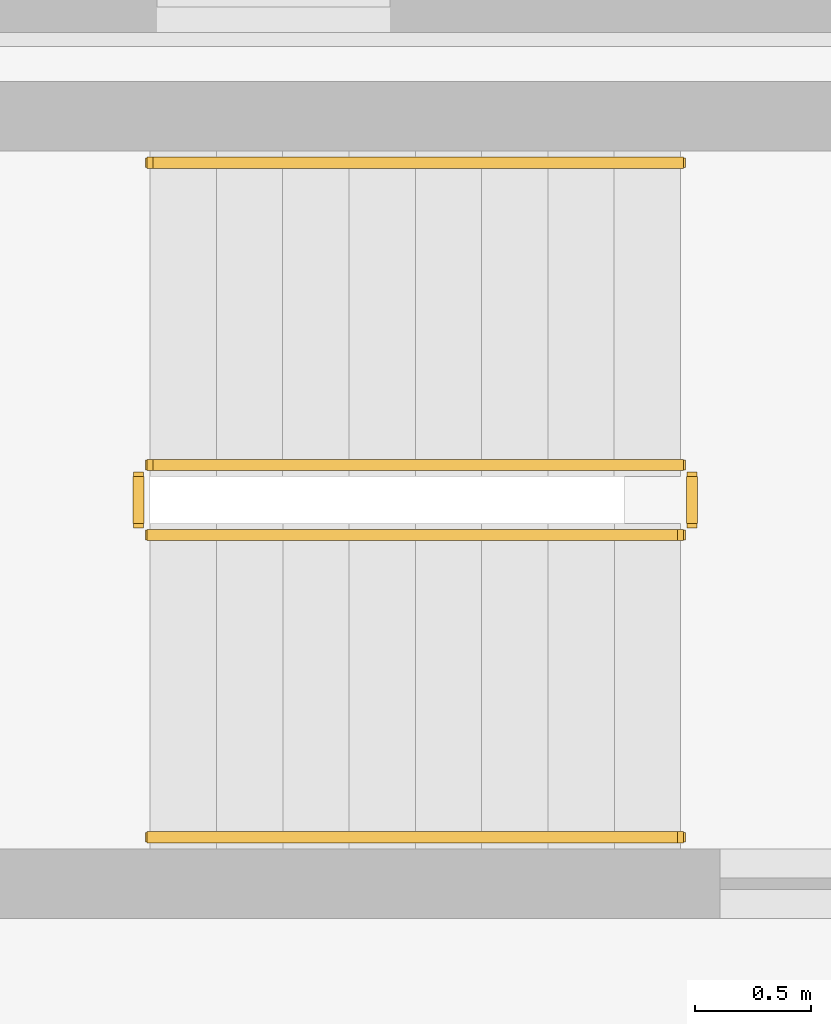
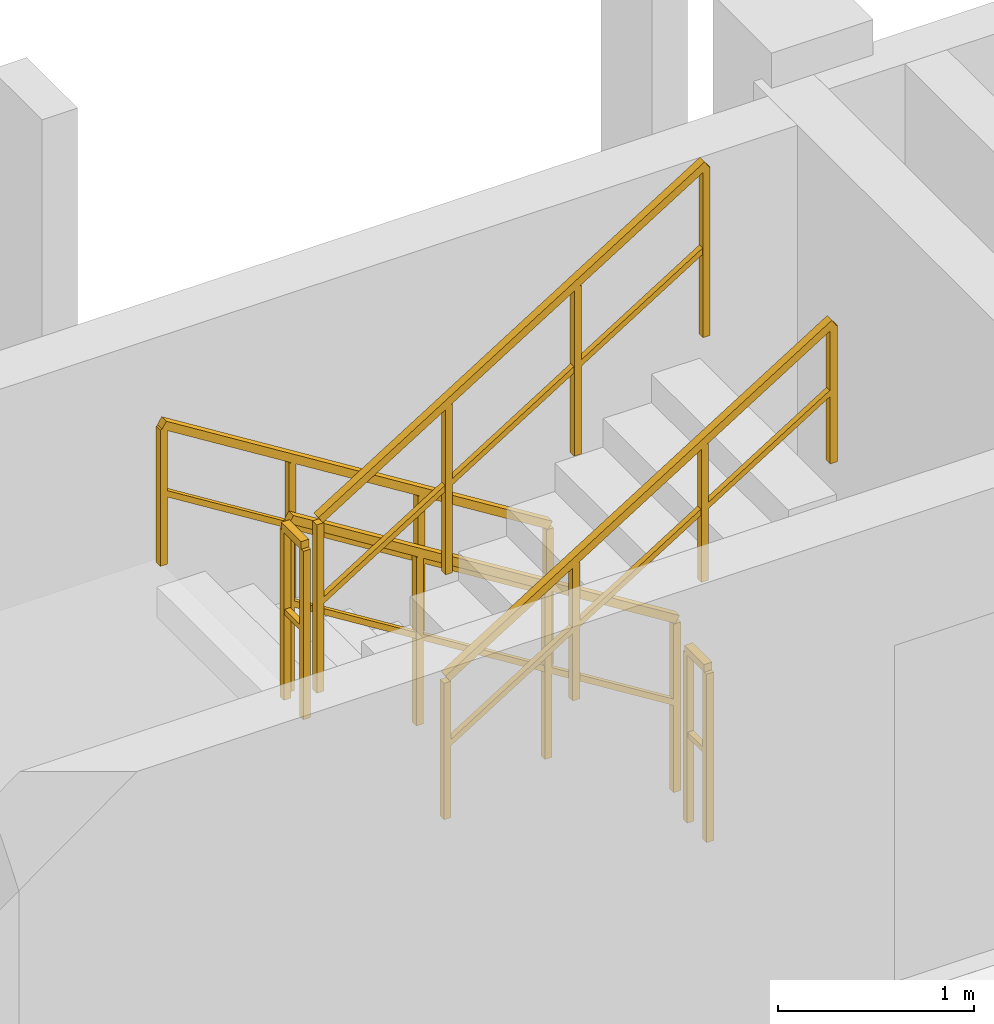
# One storey, part 70 of 76: 6 railings.
"""IFC4 building model written with IfcOpenShell, lengths in metres."""

from ifc_helpers import new_model, si_unit, direction, frame, origin, origin_2d, place, context, subcontext, project, spatial, rectangle, extrude, material, type_object, element, save


model = new_model("IFC4")

# Units and contexts
model_context = context("Model", 3, precision=1e-05, world=origin(), true_north=direction((0.0, 1.0)))
body_context = subcontext(model_context, "Body", "Model", "MODEL_VIEW")
ifc_project = project(units=[si_unit("LENGTHUNIT", "METRE"), si_unit("AREAUNIT", "SQUARE_METRE"), si_unit("VOLUMEUNIT", "CUBIC_METRE"), si_unit("PLANEANGLEUNIT", "RADIAN"), si_unit("MASSUNIT", "GRAM", prefix="KILO")], contexts=[model_context])

# Site, building, storey
site_placement = place(None, origin())
site = spatial("IfcSite", under=ifc_project, at=site_placement, CompositionType="ELEMENT")
building_placement = place(site_placement, origin())
building = spatial("IfcBuilding", under=site, at=building_placement, Name="Suanplinth Sawtooth Commons", CompositionType="ELEMENT")
storey_placement = place(building_placement, frame((0.0, 0.0, 12.199951171875)))
storey = spatial("IfcBuildingStorey", under=building, at=storey_placement, Name="L03", CompositionType="ELEMENT", Elevation=12.199951171875)

# Railings
ifc_material = material(Name="Stainless steel Grade 304", Category="steel")
railing_type_1 = type_object("IfcRailingType", Name="GR-04", PredefinedType="GUARDRAIL", material=ifc_material)
railing_1_placement = place(storey_placement, frame((142.14990234375, 12.39990234375, 0.177734375)))
element("IfcRailing", 1, at=railing_1_placement, inside=storey, type_object=railing_type_1, Name="L03 ST-S1 Guard 1", PredefinedType="GUARDRAIL", context=body_context, shape_type="SweptSolid", body=[
    extrude(rectangle(XDim=0.048095703125, YDim=0.048095703125, at=origin_2d()), frame((0.0, 0.0, 1.076171875), z_axis=(-0.848416591296, 0.0, 0.529329091978), x_axis=(0.0, -1.0, 0.0)), (0.0, 0.0, 1.0), 2.68701171875),
    extrude(rectangle(XDim=0.03369140625, YDim=0.03369140625, at=origin_2d()), frame((0.0, 0.0, 0.550048828125), z_axis=(-0.848416591296, 0.0, 0.529329091978), x_axis=(0.0, -1.0, 0.0)), (0.0, 0.0, 1.0), 2.68701171875),
    extrude(rectangle(XDim=0.0419921875, YDim=0.0419921875, at=origin_2d()), origin(), (0.0, 0.0, 1.0), 1.052001953125),
    extrude(rectangle(XDim=0.0419921875, YDim=0.0419921875, at=origin_2d()), frame((-0.760009765625, 0.0, 0.47412109375)), (0.0, 0.0, 1.0), 1.052001953125),
    extrude(rectangle(XDim=0.0419921875, YDim=0.0419921875, at=origin_2d()), frame((-1.519775390625, 0.0, 0.9482421875)), (0.0, 0.0, 1.0), 1.052001953125),
    extrude(rectangle(XDim=0.0419921875, YDim=0.0419921875, at=origin_2d()), frame((-2.27978515625, 0.0, 1.42236328125)), (0.0, 0.0, 1.0), 1.052001953125),
])
railing_2_placement = place(storey_placement, frame((139.820068359375, 12.35009765625, 1.60009765625)))
element("IfcRailing", 2, at=railing_2_placement, inside=storey, type_object=railing_type_1, Name="L03 ST-S1 Guard 2", PredefinedType="GUARDRAIL", context=body_context, shape_type="SweptSolid", body=[
    extrude(rectangle(XDim=0.048095703125, YDim=0.048095703125, at=origin_2d()), frame((0.0, 0.0, 1.076171875), z_axis=(0.0, -1.0, 0.0), x_axis=(1.0, 0.0, 0.0)), (0.0, 0.0, 1.0), 0.2001953125),
    extrude(rectangle(XDim=0.03369140625, YDim=0.03369140625, at=origin_2d()), frame((0.0, 0.0, 0.550048828125), z_axis=(0.0, -1.0, 0.0), x_axis=(1.0, 0.0, 0.0)), (0.0, 0.0, 1.0), 0.2001953125),
    extrude(rectangle(XDim=0.0419921875, YDim=0.0419921875, at=origin_2d()), origin(), (0.0, 0.0, 1.0), 1.052001953125),
    extrude(rectangle(XDim=0.0419921875, YDim=0.0419921875, at=origin_2d()), frame((0.0, -0.2001953125, 0.0)), (0.0, 0.0, 1.0), 1.052001953125),
])
railing_3_placement = place(storey_placement, frame((139.8701171875, 12.10009765625, 1.77783203125)))
element("IfcRailing", 3, at=railing_3_placement, inside=storey, type_object=railing_type_1, Name="L03 ST-S1 Guard 3", PredefinedType="GUARDRAIL", context=body_context, shape_type="SweptSolid", body=[
    extrude(rectangle(XDim=0.048095703125, YDim=0.048095703125, at=origin_2d()), frame((0.0, 0.0, 1.076171875), z_axis=(0.848457393559, 0.0, 0.529263687886), x_axis=(0.0, 1.0, 0.0)), (0.0, 0.0, 1.0), 2.68701171875),
    extrude(rectangle(XDim=0.03369140625, YDim=0.03369140625, at=origin_2d()), frame((0.0, 0.0, 0.550048828125), z_axis=(0.848457393559, 0.0, 0.529263687886), x_axis=(0.0, 1.0, 0.0)), (0.0, 0.0, 1.0), 2.68701171875),
    extrude(rectangle(XDim=0.0419921875, YDim=0.0419921875, at=origin_2d()), origin(), (0.0, 0.0, 1.0), 1.052001953125),
    extrude(rectangle(XDim=0.0419921875, YDim=0.0419921875, at=origin_2d()), frame((0.760009765625, 0.0, 0.47412109375)), (0.0, 0.0, 1.0), 1.052001953125),
    extrude(rectangle(XDim=0.0419921875, YDim=0.0419921875, at=origin_2d()), frame((1.519775390625, 0.0, 0.947998046875)), (0.0, 0.0, 1.0), 1.052001953125),
    extrude(rectangle(XDim=0.0419921875, YDim=0.0419921875, at=origin_2d()), frame((2.27978515625, 0.0, 1.422119140625)), (0.0, 0.0, 1.0), 1.052001953125),
])
railing_4_placement = place(storey_placement, frame((142.199951171875, 12.35009765625, 0.0)))
element("IfcRailing", 4, at=railing_4_placement, inside=storey, type_object=railing_type_1, Name="L03 ST-S1 Guard 4", PredefinedType="GUARDRAIL", context=body_context, shape_type="SweptSolid", body=[
    extrude(rectangle(XDim=0.048095703125, YDim=0.048095703125, at=origin_2d()), frame((0.0, 0.0, 1.076171875), z_axis=(0.0, -1.0, 0.0), x_axis=(1.0, 0.0, 0.0)), (0.0, 0.0, 1.0), 0.2001953125),
    extrude(rectangle(XDim=0.03369140625, YDim=0.03369140625, at=origin_2d()), frame((0.0, 0.0, 0.550048828125), z_axis=(0.0, -1.0, 0.0), x_axis=(1.0, 0.0, 0.0)), (0.0, 0.0, 1.0), 0.2001953125),
    extrude(rectangle(XDim=0.0419921875, YDim=0.0419921875, at=origin_2d()), origin(), (0.0, 0.0, 1.0), 1.052001953125),
    extrude(rectangle(XDim=0.0419921875, YDim=0.0419921875, at=origin_2d()), frame((0.0, -0.2001953125, 0.0)), (0.0, 0.0, 1.0), 1.052001953125),
])
railing_type_2 = type_object("IfcRailingType", Name="HR-01", PredefinedType="HANDRAIL", material=ifc_material)
railing_5_placement = place(storey_placement, frame((142.14990234375, 13.699951171875, 0.177734375)))
element("IfcRailing", 5, at=railing_5_placement, inside=storey, type_object=railing_type_2, Name="L03 ST-S1 Handrail 1", PredefinedType="HANDRAIL", context=body_context, shape_type="SweptSolid", body=[
    extrude(rectangle(XDim=0.048095703125, YDim=0.048095703125, at=origin_2d()), frame((0.0, 0.0, 0.8759765625), z_axis=(-0.848416591296, 0.0, 0.529329091978), x_axis=(0.0, -1.0, 0.0)), (0.0, 0.0, 1.0), 2.68701171875),
    extrude(rectangle(XDim=0.03369140625, YDim=0.03369140625, at=origin_2d()), frame((0.0, 0.0, 0.449951171875), z_axis=(-0.848416591296, 0.0, 0.529329091978), x_axis=(0.0, -1.0, 0.0)), (0.0, 0.0, 1.0), 2.68701171875),
    extrude(rectangle(XDim=0.0419921875, YDim=0.0419921875, at=origin_2d()), origin(), (0.0, 0.0, 1.0), 0.851806640625),
    extrude(rectangle(XDim=0.0419921875, YDim=0.0419921875, at=origin_2d()), frame((-0.760009765625, 0.0, 0.47412109375)), (0.0, 0.0, 1.0), 0.851806640625),
    extrude(rectangle(XDim=0.0419921875, YDim=0.0419921875, at=origin_2d()), frame((-1.519775390625, 0.0, 0.9482421875)), (0.0, 0.0, 1.0), 0.851806640625),
    extrude(rectangle(XDim=0.0419921875, YDim=0.0419921875, at=origin_2d()), frame((-2.27978515625, 0.0, 1.42236328125)), (0.0, 0.0, 1.0), 0.851806640625),
])
railing_6_placement = place(storey_placement, frame((139.8701171875, 10.800048828125, 1.77783203125)))
element("IfcRailing", 6, at=railing_6_placement, inside=storey, type_object=railing_type_2, Name="L03 ST-S1 Handrail 2", PredefinedType="HANDRAIL", context=body_context, shape_type="SweptSolid", body=[
    extrude(rectangle(XDim=0.048095703125, YDim=0.048095703125, at=origin_2d()), frame((0.0, 0.0, 0.8759765625), z_axis=(0.848457393559, 0.0, 0.529263687886), x_axis=(0.0, 1.0, 0.0)), (0.0, 0.0, 1.0), 2.68701171875),
    extrude(rectangle(XDim=0.03369140625, YDim=0.03369140625, at=origin_2d()), frame((0.0, 0.0, 0.449951171875), z_axis=(0.848457393559, 0.0, 0.529263687886), x_axis=(0.0, 1.0, 0.0)), (0.0, 0.0, 1.0), 2.68701171875),
    extrude(rectangle(XDim=0.0419921875, YDim=0.0419921875, at=origin_2d()), origin(), (0.0, 0.0, 1.0), 0.851806640625),
    extrude(rectangle(XDim=0.0419921875, YDim=0.0419921875, at=origin_2d()), frame((0.760009765625, 0.0, 0.47412109375)), (0.0, 0.0, 1.0), 0.851806640625),
    extrude(rectangle(XDim=0.0419921875, YDim=0.0419921875, at=origin_2d()), frame((1.519775390625, 0.0, 0.947998046875)), (0.0, 0.0, 1.0), 0.851806640625),
    extrude(rectangle(XDim=0.0419921875, YDim=0.0419921875, at=origin_2d()), frame((2.27978515625, 0.0, 1.422119140625)), (0.0, 0.0, 1.0), 0.851806640625),
])

save(model, "model.ifc")
